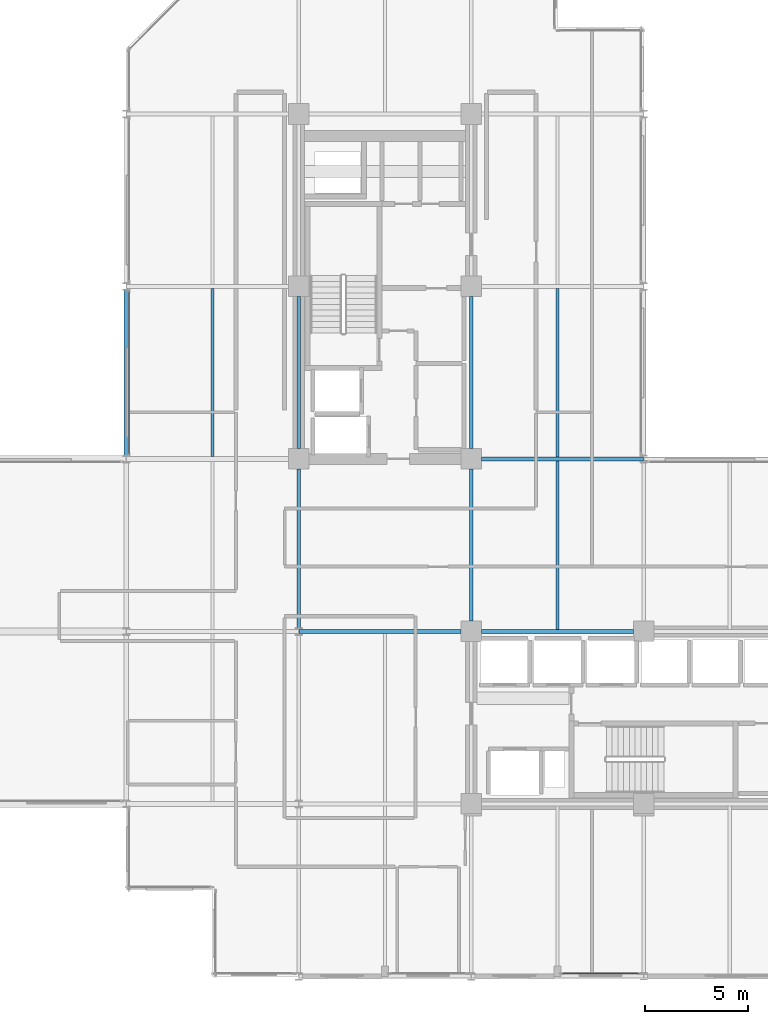
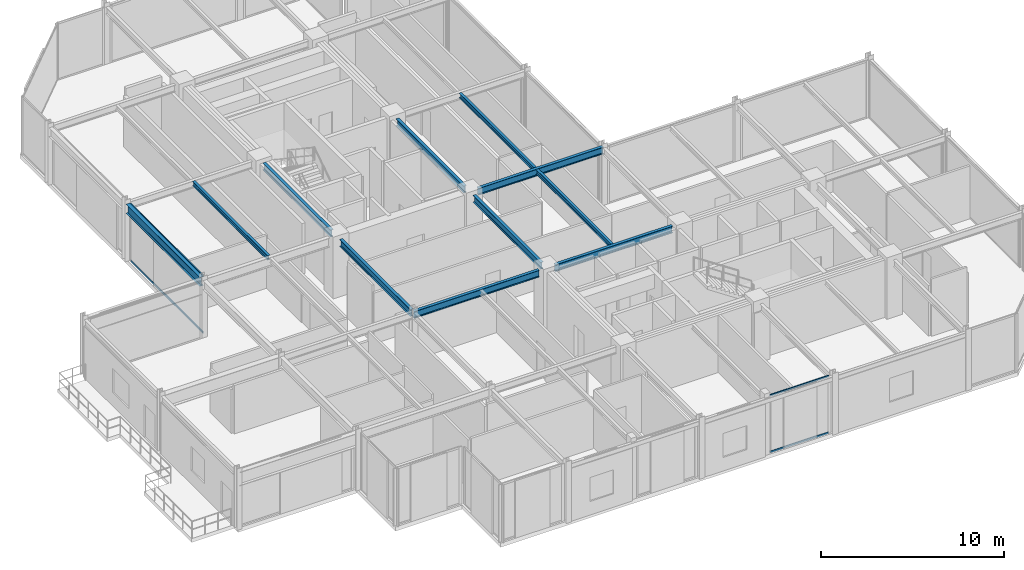
# One storey, part 10 of 29: 11 beams, 4 members, 2 elements without a shape of their own.
"""IFC4 building model written with IfcOpenShell, lengths in metres."""

from ifc_helpers import new_model, si_unit, direction, frame, origin, origin_2d, place, context, subcontext, project, spatial, hollow_rectangle, i_section, extrude, material, layer, layer_set, material_profile, profile_set, type_object, element, aggregate, save


model = new_model("IFC4")

# Units and contexts
model_context = context("Model", 3, precision=1e-05, world=origin(), true_north=direction((0.0, 1.0)))
body_context = subcontext(model_context, "Body", "Model", "MODEL_VIEW")
ifc_project = project(units=[si_unit("LENGTHUNIT", "METRE"), si_unit("AREAUNIT", "SQUARE_METRE"), si_unit("VOLUMEUNIT", "CUBIC_METRE"), si_unit("PLANEANGLEUNIT", "RADIAN"), si_unit("MASSUNIT", "GRAM", prefix="KILO")], contexts=[model_context])

# Site, building, storey
site_placement = place(None, origin())
site = spatial("IfcSite", under=ifc_project, at=site_placement, CompositionType="ELEMENT")
building_placement = place(site_placement, origin())
building = spatial("IfcBuilding", under=site, at=building_placement, Name="Nerrivon Quay Data Exchange", CompositionType="ELEMENT")
storey_placement = place(building_placement, frame((0.0, 0.0, 212.39990234375)))
storey = spatial("IfcBuildingStorey", under=building, at=storey_placement, Name="L50", CompositionType="ELEMENT", Elevation=212.39990234375)

# Beams
ifc_material_1 = material(Name="Steel Grade 350", Category="steel")
ifc_material_profile_1 = material_profile(ifc_material_1, i_section(OverallWidth=0.22802734375, OverallDepth=0.60205078125, WebThickness=0.010498046875, FlangeThickness=0.014892578125, FilletRadius=0.013916015625, at=origin_2d()), Name="610UB101")
ifc_profile_set_1 = profile_set([ifc_material_profile_1], Name="Steel Grade 350")
beam_type_1 = type_object("IfcBeamType", Name="BM-G2-610UB101", PredefinedType="BEAM", material=ifc_profile_set_1)
beam_1_placement = place(storey_placement, frame((0.0, 25.375, 3.524169921875), z_axis=(0.0, 1.0, 0.0), x_axis=(-1.0, 0.0, 0.0)))
element("IfcBeam", 1, at=beam_1_placement, inside=storey, type_object=beam_type_1, Name="L50 NS Girder X=0.0 (25.2..33.6)", PredefinedType="BEAM", context=body_context, shape_type="SweptSolid", body=[
    extrude(i_section(OverallWidth=0.22802734375, OverallDepth=0.60205078125, WebThickness=0.010498046875, FlangeThickness=0.014892578125, FilletRadius=0.013916015625, at=origin_2d()), origin(), (0.0, 0.0, 1.0), 8.050048828125),
])
ifc_material_profile_2 = material_profile(ifc_material_1, i_section(OverallWidth=0.19091796875, OverallDepth=0.4599609375, WebThickness=0.010009765625, FlangeThickness=0.01611328125, FilletRadius=0.011474609375, at=origin_2d()), Name="460UB82.1")
ifc_profile_set_2 = profile_set([ifc_material_profile_2], Name="Steel Grade 350")
beam_type_2 = type_object("IfcBeamType", Name="BM-G5-460UB82", PredefinedType="BEAM", material=ifc_profile_set_2)
beam_2_placement = place(storey_placement, frame((8.409912109375, 16.800048828125, 3.59521484375), z_axis=(1.0, 0.0, 0.0), x_axis=(0.0, 1.0, 0.0)))
element("IfcBeam", 2, at=beam_2_placement, inside=storey, type_object=beam_type_2, Name="L50 EW Girder Y=16.8 (8.4..16.8)", PredefinedType="BEAM", context=body_context, shape_type="SweptSolid", body=[
    extrude(i_section(OverallWidth=0.19091796875, OverallDepth=0.4599609375, WebThickness=0.010009765625, FlangeThickness=0.01611328125, FilletRadius=0.011474609375, at=origin_2d()), origin(), (0.0, 0.0, 1.0), 7.89013671875),
])
beam_3_placement = place(storey_placement, frame((17.300048828125, 16.800048828125, 3.59521484375), z_axis=(1.0, 0.0, 0.0), x_axis=(0.0, 1.0, 0.0)))
element("IfcBeam", 3, at=beam_3_placement, inside=storey, type_object=beam_type_2, Name="L50 EW Girder Y=16.8 (16.8..25.2)", PredefinedType="BEAM", context=body_context, shape_type="SweptSolid", body=[
    extrude(i_section(OverallWidth=0.19091796875, OverallDepth=0.4599609375, WebThickness=0.010009765625, FlangeThickness=0.01611328125, FilletRadius=0.011474609375, at=origin_2d()), origin(), (0.0, 0.0, 1.0), 7.39990234375),
])
beam_4_placement = place(storey_placement, frame((17.300048828125, 25.199951171875, 3.59521484375), z_axis=(1.0, 0.0, 0.0), x_axis=(0.0, 1.0, 0.0)))
element("IfcBeam", 4, at=beam_4_placement, inside=storey, type_object=beam_type_2, Name="L50 EW Girder Y=25.2 (16.8..25.2)", PredefinedType="BEAM", context=body_context, shape_type="SweptSolid", body=[
    extrude(i_section(OverallWidth=0.19091796875, OverallDepth=0.4599609375, WebThickness=0.010009765625, FlangeThickness=0.01611328125, FilletRadius=0.011474609375, at=origin_2d()), origin(), (0.0, 0.0, 1.0), 7.889892578125),
])
ifc_material_profile_3 = material_profile(ifc_material_1, i_section(OverallWidth=0.18994140625, OverallDepth=0.4541015625, WebThickness=0.008544921875, FlangeThickness=0.0126953125, FilletRadius=0.011474609375, at=origin_2d()), Name="460UB67.1")
ifc_profile_set_3 = profile_set([ifc_material_profile_3], Name="Steel Grade 350")
beam_type_3 = type_object("IfcBeamType", Name="BM-G6-460UB67", PredefinedType="BEAM", material=ifc_profile_set_3)
beam_5_placement = place(storey_placement, frame((8.39990234375, 16.97509765625, 3.59814453125), z_axis=(0.0, 1.0, 0.0), x_axis=(-1.0, 0.0, 0.0)))
element("IfcBeam", 5, at=beam_5_placement, inside=storey, type_object=beam_type_3, Name="L50 NS Girder X=8.4 (16.8..25.2)", PredefinedType="BEAM", context=body_context, shape_type="SweptSolid", body=[
    extrude(i_section(OverallWidth=0.18994140625, OverallDepth=0.4541015625, WebThickness=0.008544921875, FlangeThickness=0.0126953125, FilletRadius=0.011474609375, at=origin_2d()), origin(), (0.0, 0.0, 1.0), 7.724853515625),
])
beam_6_placement = place(storey_placement, frame((8.39990234375, 25.699951171875, 3.59814453125), z_axis=(0.0, 1.0, 0.0), x_axis=(-1.0, 0.0, 0.0)))
element("IfcBeam", 6, at=beam_6_placement, inside=storey, type_object=beam_type_3, Name="L50 NS Girder X=8.4 (25.2..33.6)", PredefinedType="BEAM", context=body_context, shape_type="SweptSolid", body=[
    extrude(i_section(OverallWidth=0.18994140625, OverallDepth=0.4541015625, WebThickness=0.008544921875, FlangeThickness=0.0126953125, FilletRadius=0.011474609375, at=origin_2d()), origin(), (0.0, 0.0, 1.0), 7.400146484375),
])
beam_7_placement = place(storey_placement, frame((16.800048828125, 17.300048828125, 3.59814453125), z_axis=(0.0, 1.0, 0.0), x_axis=(-1.0, 0.0, 0.0)))
element("IfcBeam", 7, at=beam_7_placement, inside=storey, type_object=beam_type_3, Name="L50 NS Girder X=16.8 (16.8..25.2)", PredefinedType="BEAM", context=body_context, shape_type="SweptSolid", body=[
    extrude(i_section(OverallWidth=0.18994140625, OverallDepth=0.4541015625, WebThickness=0.008544921875, FlangeThickness=0.0126953125, FilletRadius=0.011474609375, at=origin_2d()), origin(), (0.0, 0.0, 1.0), 7.39990234375),
])
beam_8_placement = place(storey_placement, frame((16.800048828125, 25.699951171875, 3.59814453125), z_axis=(0.0, 1.0, 0.0), x_axis=(-1.0, 0.0, 0.0)))
element("IfcBeam", 8, at=beam_8_placement, inside=storey, type_object=beam_type_3, Name="L50 NS Girder X=16.8 (25.2..33.6)", PredefinedType="BEAM", context=body_context, shape_type="SweptSolid", body=[
    extrude(i_section(OverallWidth=0.18994140625, OverallDepth=0.4541015625, WebThickness=0.008544921875, FlangeThickness=0.0126953125, FilletRadius=0.011474609375, at=origin_2d()), origin(), (0.0, 0.0, 1.0), 7.400146484375),
])
ifc_material_profile_4 = material_profile(ifc_material_1, i_section(OverallWidth=0.166015625, OverallDepth=0.306884765625, WebThickness=0.006591796875, FlangeThickness=0.01171875, FilletRadius=0.011474609375, at=origin_2d()), Name="310UB46.2")
ifc_profile_set_4 = profile_set([ifc_material_profile_4], Name="Steel Grade 350")
beam_type_4 = type_object("IfcBeamType", Name="BM-J5-310UB46", PredefinedType="JOIST", material=ifc_profile_set_4)
beam_9_placement = place(storey_placement, frame((4.199951171875, 25.314453125, 3.671630859375), z_axis=(0.0, 1.0, 0.0), x_axis=(-1.0, 0.0, 0.0)))
element("IfcBeam", 9, at=beam_9_placement, inside=storey, type_object=beam_type_4, Name="L50 Secondary Joist X=4.2 (25.2..33.6)", PredefinedType="JOIST", context=body_context, shape_type="SweptSolid", body=[
    extrude(i_section(OverallWidth=0.166015625, OverallDepth=0.306884765625, WebThickness=0.006591796875, FlangeThickness=0.01171875, FilletRadius=0.011474609375, at=origin_2d()), origin(), (0.0, 0.0, 1.0), 8.18994140625),
])
for number, where, z_axis, x_axis, name in (
    (10, (21.0, 16.8955078125, 3.671630859375), (0.0, 1.0, 0.0), (-1.0, 0.0, 0.0), "L50 Secondary Joist X=21.0 (16.8..25.2)"),
    (11, (21.0, 25.29541015625, 3.671630859375), (0.0, 1.0, 0.0), (-1.0, 0.0, 0.0), "L50 Secondary Joist X=21.0 (25.2..33.6)"),
):
    element("IfcBeam", number, at=place(storey_placement, frame(where, z_axis=z_axis, x_axis=x_axis)), inside=storey, type_object=beam_type_4, Name=name, PredefinedType="JOIST", context=body_context, shape_type="SweptSolid", body=[
        extrude(i_section(OverallWidth=0.166015625, OverallDepth=0.306884765625, WebThickness=0.006591796875, FlangeThickness=0.01171875, FilletRadius=0.011474609375, at=origin_2d()), origin(), (0.0, 0.0, 1.0), 8.208984375),
    ])

# Curtain wall, members
ifc_material_2 = material(Name="Anodised aluminium 6063-T6", Category="aluminium")
ifc_layer = layer(ifc_material_2, 0.195068359375)
ifc_layer_set = layer_set([ifc_layer], Name="Anodised aluminium 6063-T6")
curtain_wall_type = type_object("IfcCurtainWallType", Name="CW-SYS-06", PredefinedType="NOTDEFINED", material=ifc_layer_set)
curtain_wall_1_placement = place(storey_placement, origin())
curtain_wall_1 = element("IfcCurtainWall", 12, at=curtain_wall_1_placement, inside=storey, type_object=curtain_wall_type, Name="L50 Unitised Curtain Wall 4", PredefinedType="NOTDEFINED")
ifc_material_profile_5 = material_profile(ifc_material_2, hollow_rectangle(XDim=0.06005859375, YDim=0.1201171875, WallThickness=0.003173828125, at=origin_2d()), Name="ALU-TRAN-120x60")
ifc_profile_set_5 = profile_set([ifc_material_profile_5], Name="Anodised aluminium 6063-T6")
member_type = type_object("IfcMemberType", Name="CWT-120x60", PredefinedType="USERDEFINED", material=ifc_profile_set_5)
member_1_placement = place(storey_placement, frame((0.139892578125, 25.449951171875, 0.03271484375), z_axis=(0.0, 1.0, 0.0), x_axis=(-1.0, 0.0, 0.0)))
member_1 = element("IfcMember", 13, at=member_1_placement, type_object=member_type, Name="CW06 transom 1.1", ObjectType="TRANSOM", PredefinedType="USERDEFINED", context=body_context, shape_type="SweptSolid", body=[
    extrude(hollow_rectangle(XDim=0.06005859375, YDim=0.1201171875, WallThickness=0.003173828125, at=origin_2d()), origin(), (0.0, 0.0, 1.0), 7.900146484375),
])
member_2_placement = place(storey_placement, frame((0.139892578125, 25.449951171875, 3.79248046875), z_axis=(0.0, 1.0, 0.0), x_axis=(-1.0, 0.0, 0.0)))
member_2 = element("IfcMember", 14, at=member_2_placement, type_object=member_type, Name="CW06 transom 1.2", ObjectType="TRANSOM", PredefinedType="USERDEFINED", context=body_context, shape_type="SweptSolid", body=[
    extrude(hollow_rectangle(XDim=0.06005859375, YDim=0.1201171875, WallThickness=0.003173828125, at=origin_2d()), origin(), (0.0, 0.0, 1.0), 7.900146484375),
])
aggregate(curtain_wall_1, [member_1, member_2])

curtain_wall_2_placement = place(storey_placement, origin())
curtain_wall_2 = element("IfcCurtainWall", 15, at=curtain_wall_2_placement, inside=storey, type_object=curtain_wall_type, Name="L50 Unitised Curtain Wall 24", PredefinedType="NOTDEFINED")
member_3_placement = place(storey_placement, frame((24.949951171875, 0.139892578125, 0.03271484375), z_axis=(-1.0, 0.0, 0.0), x_axis=(0.0, -1.0, 0.0)))
member_3 = element("IfcMember", 16, at=member_3_placement, type_object=member_type, Name="CW06 transom 1.1", ObjectType="TRANSOM", PredefinedType="USERDEFINED", context=body_context, shape_type="SweptSolid", body=[
    extrude(hollow_rectangle(XDim=0.06005859375, YDim=0.1201171875, WallThickness=0.003173828125, at=origin_2d()), origin(), (0.0, 0.0, 1.0), 3.699951171875),
])
member_4_placement = place(storey_placement, frame((24.949951171875, 0.139892578125, 3.79248046875), z_axis=(-1.0, 0.0, 0.0), x_axis=(0.0, -1.0, 0.0)))
member_4 = element("IfcMember", 17, at=member_4_placement, type_object=member_type, Name="CW06 transom 1.2", ObjectType="TRANSOM", PredefinedType="USERDEFINED", context=body_context, shape_type="SweptSolid", body=[
    extrude(hollow_rectangle(XDim=0.06005859375, YDim=0.1201171875, WallThickness=0.003173828125, at=origin_2d()), origin(), (0.0, 0.0, 1.0), 3.699951171875),
])
aggregate(curtain_wall_2, [member_3, member_4])

save(model, "model.ifc")
